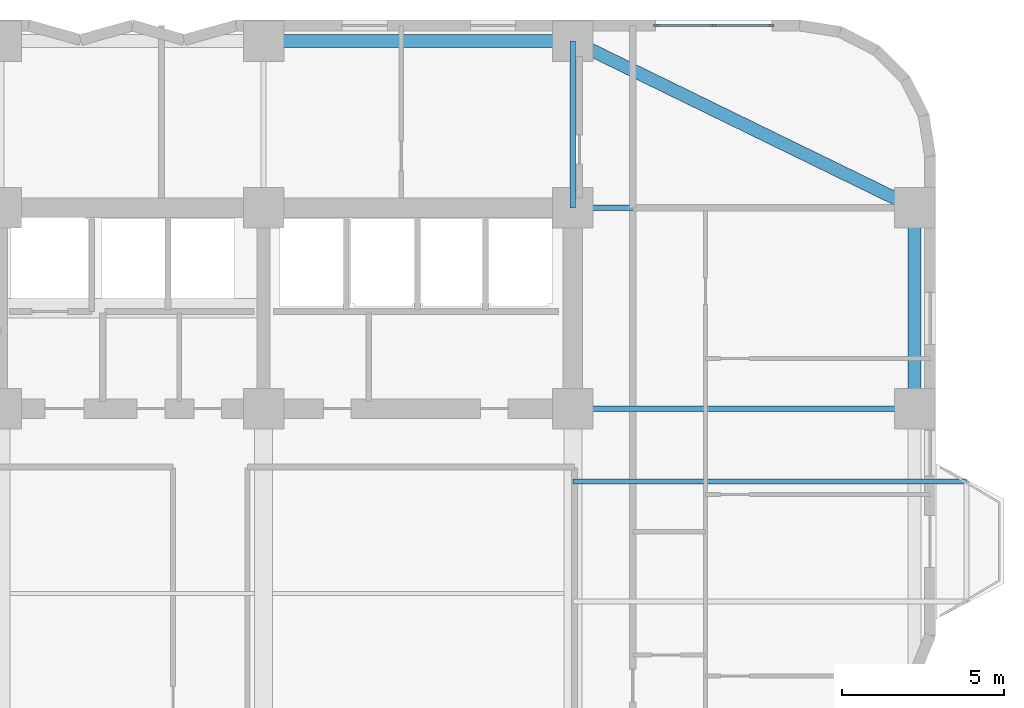
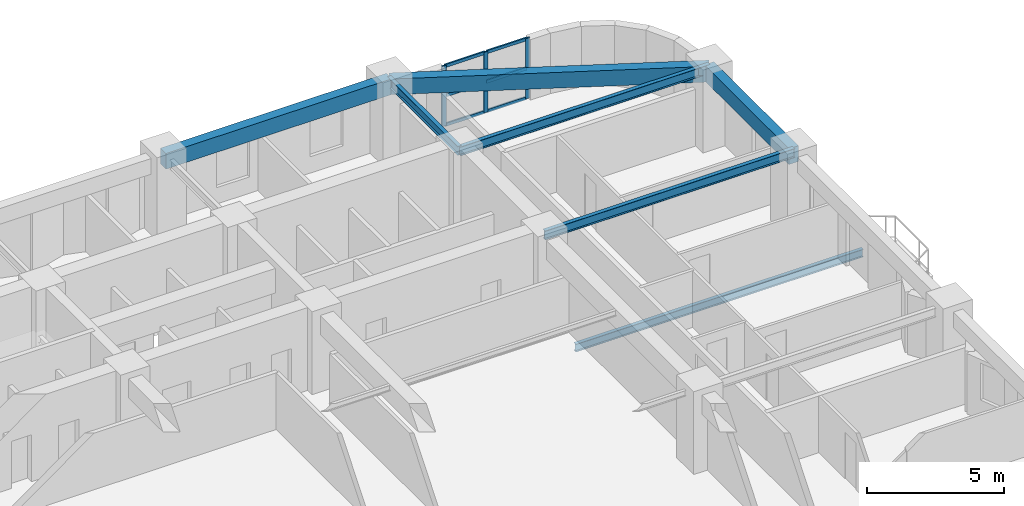
# One storey, part 4 of 13: 9 members, 7 beams, 1 element without a shape of its own.
"""IFC4 building model written with IfcOpenShell, lengths in metres."""

from ifc_helpers import new_model, si_unit, direction, frame, origin, origin_2d, place, context, subcontext, project, spatial, rectangle, i_section, extrude, material, material_profile, profile_set, type_object, element, aggregate, save


model = new_model("IFC4")

# Units and contexts
model_context = context("Model", 3, precision=1e-05, world=origin(), true_north=direction((0.0, 1.0)))
body_context = subcontext(model_context, "Body", "Model", "MODEL_VIEW")
ifc_project = project(units=[si_unit("LENGTHUNIT", "METRE"), si_unit("AREAUNIT", "SQUARE_METRE"), si_unit("VOLUMEUNIT", "CUBIC_METRE"), si_unit("PLANEANGLEUNIT", "RADIAN"), si_unit("MASSUNIT", "GRAM", prefix="KILO")], contexts=[model_context])

# Site, building, storey
site_placement = place(None, origin())
site = spatial("IfcSite", under=ifc_project, at=site_placement, CompositionType="ELEMENT")
building_placement = place(site_placement, origin())
building = spatial("IfcBuilding", under=site, at=building_placement, Name="Svetorya Sky Lyceum", CompositionType="ELEMENT")
storey_placement = place(building_placement, frame((0.0, 0.0, 39.89990234375)))
storey = spatial("IfcBuildingStorey", under=building, at=storey_placement, Name="L09", CompositionType="ELEMENT", Elevation=39.89990234375)

# Beams
ifc_material_1 = material(Name="Concrete C50/60", Category="concrete")
ifc_material_profile_1 = material_profile(ifc_material_1, rectangle(XDim=0.39990234375, YDim=0.699951171875, at=origin_2d()), Name="RC SPANDREL 400x700")
ifc_profile_set_1 = profile_set([ifc_material_profile_1], Name="Concrete C50/60")
beam_type_1 = type_object("IfcBeamType", Name="BM-SPN-700", PredefinedType="SPANDREL", material=ifc_profile_set_1)
beam_1_placement = place(storey_placement, frame((43.25, 50.949951171875, 3.070068359375), z_axis=(1.0, 0.0, 0.0), x_axis=(0.0, 1.0, 0.0)))
element("IfcBeam", 1, at=beam_1_placement, inside=storey, type_object=beam_type_1, Name="L09 North Spandrel 3", PredefinedType="SPANDREL", context=body_context, shape_type="SweptSolid", body=[
    extrude(rectangle(XDim=0.39990234375, YDim=0.699951171875, at=origin_2d()), origin(), (0.0, 0.0, 1.0), 9.550048828125),
])
beam_2_placement = place(storey_placement, frame((63.35009765625, 45.800048828125, 3.070068359375), z_axis=(-0.898649693653, 0.438666989978, 0.0), x_axis=(-0.438666989978, -0.898649693653, 0.0)))
element("IfcBeam", 2, at=beam_2_placement, inside=storey, type_object=beam_type_1, Name="L09 Corner Spandrel 3", PredefinedType="SPANDREL", context=body_context, shape_type="SweptSolid", body=[
    extrude(rectangle(XDim=0.39990234375, YDim=0.699951171875, at=origin_2d()), origin(), (0.0, 0.0, 1.0), 11.739990234375),
])
beam_3_placement = place(storey_placement, frame((63.35009765625, 39.60009765625, 3.070068359375), z_axis=(0.0, 1.0, 0.0), x_axis=(-1.0, 0.0, 0.0)))
element("IfcBeam", 3, at=beam_3_placement, inside=storey, type_object=beam_type_1, Name="L09 East Spandrel 4", PredefinedType="SPANDREL", context=body_context, shape_type="SweptSolid", body=[
    extrude(rectangle(XDim=0.39990234375, YDim=0.699951171875, at=origin_2d()), origin(), (0.0, 0.0, 1.0), 6.199951171875),
])
ifc_material_2 = material(Name="Steel S355", Category="steel")
ifc_material_profile_2 = material_profile(ifc_material_2, i_section(OverallWidth=0.155029296875, OverallDepth=0.34912109375, WebThickness=0.007080078125, FlangeThickness=0.011474609375, at=origin_2d()), Name="GOST 35B2")
ifc_profile_set_2 = profile_set([ifc_material_profile_2], Name="Steel S355")
beam_type_2 = type_object("IfcBeamType", Name="BM-STL-35B2", PredefinedType="JOIST", material=ifc_profile_set_2)
beam_4_placement = place(storey_placement, frame((52.800048828125, 37.35009765625, -0.454345703125), z_axis=(1.0, 0.0, 0.0), x_axis=(0.0, 1.0, 0.0)))
element("IfcBeam", 4, at=beam_4_placement, inside=storey, type_object=beam_type_2, Name="L09 Balcony Cantilever Beam BAL-E1-2", PredefinedType="JOIST", context=body_context, shape_type="SweptSolid", body=[
    extrude(i_section(OverallWidth=0.155029296875, OverallDepth=0.34912109375, WebThickness=0.007080078125, FlangeThickness=0.011474609375, at=origin_2d()), origin(), (0.0, 0.0, 1.0), 12.14990234375),
])
ifc_material_profile_3 = material_profile(ifc_material_2, i_section(OverallWidth=0.1650390625, OverallDepth=0.39990234375, WebThickness=0.008056640625, FlangeThickness=0.012939453125, at=origin_2d()), Name="GOST 40B2")
ifc_profile_set_3 = profile_set([ifc_material_profile_3], Name="Steel S355")
beam_type_3 = type_object("IfcBeamType", Name="BM-STL-40B2", PredefinedType="JOIST", material=ifc_profile_set_3)
for number, where, z_axis, x_axis, name in (
    (5, (52.800048828125, 39.60009765625, 3.22021484375), (1.0, 0.0, 0.0), (0.0, 1.0, 0.0), "L09 East Wing Floor Joist E4"),
    (6, (52.800048828125, 45.800048828125, 3.22021484375), (1.0, 0.0, 0.0), (0.0, 1.0, 0.0), "L09 East Wing Floor Joist E5"),
):
    element("IfcBeam", number, at=place(storey_placement, frame(where, z_axis=z_axis, x_axis=x_axis)), inside=storey, type_object=beam_type_3, Name=name, PredefinedType="JOIST", context=body_context, shape_type="SweptSolid", body=[
        extrude(i_section(OverallWidth=0.1650390625, OverallDepth=0.39990234375, WebThickness=0.008056640625, FlangeThickness=0.012939453125, at=origin_2d()), origin(), (0.0, 0.0, 1.0), 10.550048828125),
    ])
beam_5_placement = place(storey_placement, frame((52.800048828125, 45.800048828125, 3.22021484375), z_axis=(0.0, 1.0, 0.0), x_axis=(-1.0, 0.0, 0.0)))
element("IfcBeam", 7, at=beam_5_placement, inside=storey, type_object=beam_type_3, Name="L09 North Bay Floor Girder N4", PredefinedType="JOIST", context=body_context, shape_type="SweptSolid", body=[
    extrude(i_section(OverallWidth=0.1650390625, OverallDepth=0.39990234375, WebThickness=0.008056640625, FlangeThickness=0.012939453125, at=origin_2d()), origin(), (0.0, 0.0, 1.0), 5.14990234375),
])

# Curtain wall, members
ifc_material_3 = material(Name="Thermally broken anodized aluminium and triple low-E glass", Category="aluminium")
curtain_wall_type = type_object("IfcCurtainWallType", Name="CW3-LOG-RES", PredefinedType="NOTDEFINED", material=ifc_material_3)
curtain_wall_placement = place(storey_placement, origin())
curtain_wall = element("IfcCurtainWall", 8, at=curtain_wall_placement, inside=storey, type_object=curtain_wall_type, Name="L09 Recessed Loggia Curtain Wall 29", PredefinedType="NOTDEFINED")
ifc_material_4 = material(Name="Thermally broken anodized aluminium EN AW-6060", Category="aluminium")
ifc_material_profile_4 = material_profile(ifc_material_4, rectangle(XDim=0.06494140625, YDim=0.179931640625, at=origin_2d()), Name="ALU MULLION 65x180")
ifc_profile_set_4 = profile_set([ifc_material_profile_4], Name="Thermally broken anodized aluminium EN AW-6060")
member_type_1 = type_object("IfcMemberType", Name="CWM-MUL-180", PredefinedType="MULLION", material=ifc_profile_set_4)
member_1_placement = place(storey_placement, frame((58.91748046875, 51.429931640625, 0.0), z_axis=(0.0, 0.0, 1.0), x_axis=(0.0, -1.0, 0.0)))
member_1 = element("IfcMember", 9, at=member_1_placement, type_object=member_type_1, Name="CW-3 mullion 1", PredefinedType="MULLION", context=body_context, shape_type="SweptSolid", body=[
    extrude(rectangle(XDim=0.06494140625, YDim=0.179931640625, at=origin_2d()), origin(), (0.0, 0.0, 1.0), 2.7001953125),
])
member_2_placement = place(storey_placement, frame((57.14990234375, 51.429931640625, 0.0), z_axis=(0.0, 0.0, 1.0), x_axis=(0.0, -1.0, 0.0)))
member_2 = element("IfcMember", 10, at=member_2_placement, type_object=member_type_1, Name="CW-3 mullion 2", PredefinedType="MULLION", context=body_context, shape_type="SweptSolid", body=[
    extrude(rectangle(XDim=0.06494140625, YDim=0.179931640625, at=origin_2d()), origin(), (0.0, 0.0, 1.0), 2.7001953125),
])
member_3_placement = place(storey_placement, frame((55.382568359375, 51.429931640625, 0.0), z_axis=(0.0, 0.0, 1.0), x_axis=(0.0, -1.0, 0.0)))
member_3 = element("IfcMember", 11, at=member_3_placement, type_object=member_type_1, Name="CW-3 mullion 3", PredefinedType="MULLION", context=body_context, shape_type="SweptSolid", body=[
    extrude(rectangle(XDim=0.06494140625, YDim=0.179931640625, at=origin_2d()), origin(), (0.0, 0.0, 1.0), 2.7001953125),
])
ifc_material_profile_5 = material_profile(ifc_material_4, rectangle(XDim=0.06494140625, YDim=0.139892578125, at=origin_2d()), Name="ALU TRANSOM 65x140")
ifc_profile_set_5 = profile_set([ifc_material_profile_5], Name="Thermally broken anodized aluminium EN AW-6060")
member_type_2 = type_object("IfcMemberType", Name="CWM-TRN-140", PredefinedType="USERDEFINED", material=ifc_profile_set_5)
member_4_placement = place(storey_placement, frame((58.886474609375, 51.429931640625, 0.03271484375), z_axis=(-1.0, 0.0, 0.0), x_axis=(0.0, -1.0, 0.0)))
member_4 = element("IfcMember", 12, at=member_4_placement, type_object=member_type_2, Name="CW-3 transom 1.1", ObjectType="TRANSOM", PredefinedType="USERDEFINED", context=body_context, shape_type="SweptSolid", body=[
    extrude(rectangle(XDim=0.06494140625, YDim=0.139892578125, at=origin_2d()), origin(), (0.0, 0.0, 1.0), 1.70556640625),
])
member_5_placement = place(storey_placement, frame((58.886474609375, 51.429931640625, 1.35009765625), z_axis=(-1.0, 0.0, 0.0), x_axis=(0.0, -1.0, 0.0)))
member_5 = element("IfcMember", 13, at=member_5_placement, type_object=member_type_2, Name="CW-3 transom 1.2", ObjectType="TRANSOM", PredefinedType="USERDEFINED", context=body_context, shape_type="SweptSolid", body=[
    extrude(rectangle(XDim=0.06494140625, YDim=0.139892578125, at=origin_2d()), origin(), (0.0, 0.0, 1.0), 1.70556640625),
])
member_6_placement = place(storey_placement, frame((58.886474609375, 51.429931640625, 2.66748046875), z_axis=(-1.0, 0.0, 0.0), x_axis=(0.0, -1.0, 0.0)))
member_6 = element("IfcMember", 14, at=member_6_placement, type_object=member_type_2, Name="CW-3 transom 1.3", ObjectType="TRANSOM", PredefinedType="USERDEFINED", context=body_context, shape_type="SweptSolid", body=[
    extrude(rectangle(XDim=0.06494140625, YDim=0.139892578125, at=origin_2d()), origin(), (0.0, 0.0, 1.0), 1.70556640625),
])
member_7_placement = place(storey_placement, frame((57.118896484375, 51.429931640625, 0.03271484375), z_axis=(-1.0, 0.0, 0.0), x_axis=(0.0, -1.0, 0.0)))
member_7 = element("IfcMember", 15, at=member_7_placement, type_object=member_type_2, Name="CW-3 transom 2.1", ObjectType="TRANSOM", PredefinedType="USERDEFINED", context=body_context, shape_type="SweptSolid", body=[
    extrude(rectangle(XDim=0.06494140625, YDim=0.139892578125, at=origin_2d()), origin(), (0.0, 0.0, 1.0), 1.705322265625),
])
member_8_placement = place(storey_placement, frame((57.118896484375, 51.429931640625, 1.35009765625), z_axis=(-1.0, 0.0, 0.0), x_axis=(0.0, -1.0, 0.0)))
member_8 = element("IfcMember", 16, at=member_8_placement, type_object=member_type_2, Name="CW-3 transom 2.2", ObjectType="TRANSOM", PredefinedType="USERDEFINED", context=body_context, shape_type="SweptSolid", body=[
    extrude(rectangle(XDim=0.06494140625, YDim=0.139892578125, at=origin_2d()), origin(), (0.0, 0.0, 1.0), 1.705322265625),
])
member_9_placement = place(storey_placement, frame((57.118896484375, 51.429931640625, 2.66748046875), z_axis=(-1.0, 0.0, 0.0), x_axis=(0.0, -1.0, 0.0)))
member_9 = element("IfcMember", 17, at=member_9_placement, type_object=member_type_2, Name="CW-3 transom 2.3", ObjectType="TRANSOM", PredefinedType="USERDEFINED", context=body_context, shape_type="SweptSolid", body=[
    extrude(rectangle(XDim=0.06494140625, YDim=0.139892578125, at=origin_2d()), origin(), (0.0, 0.0, 1.0), 1.705322265625),
])
aggregate(curtain_wall, [member_1, member_2, member_3, member_4, member_5, member_6, member_7, member_8, member_9])

save(model, "model.ifc")
